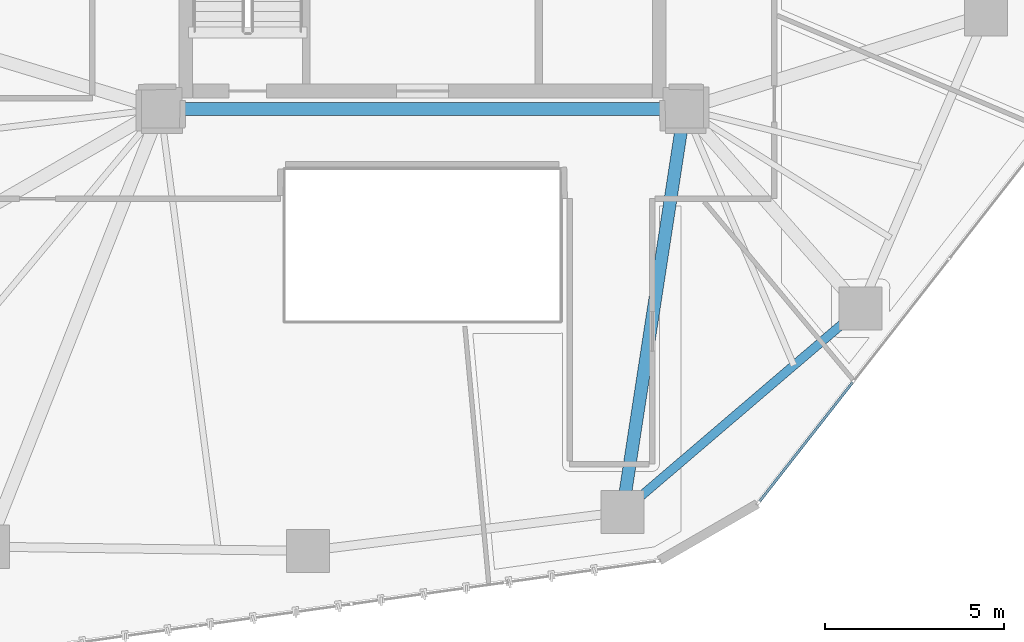
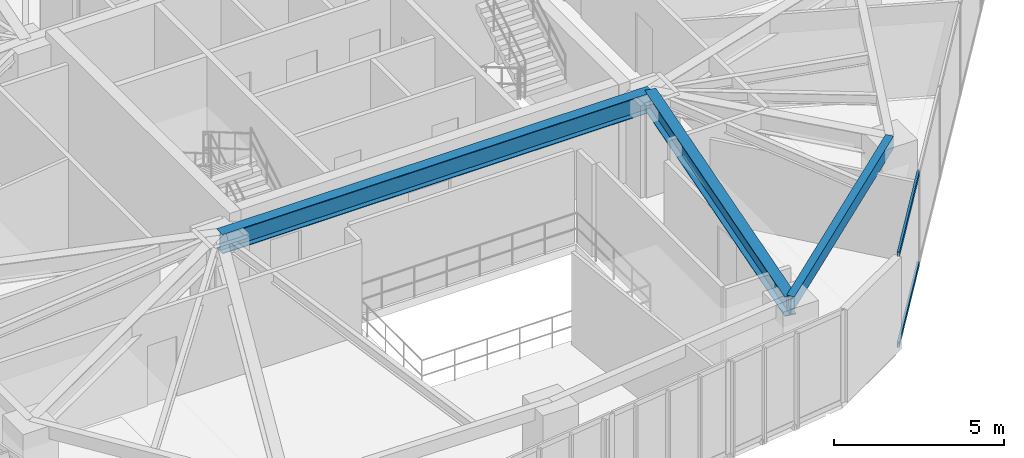
# One storey, part 7 of 24: 3 beams, 2 members, 1 element without a shape of its own.
"""IFC4 building model written with IfcOpenShell, lengths in metres."""

from ifc_helpers import new_model, si_unit, direction, frame, origin, origin_2d, place, context, subcontext, project, spatial, hollow_rectangle, i_section, extrude, source, transform, mapped, material, layer, layer_set, material_profile, profile_set, type_object, type_shapes, element, aggregate, save


model = new_model("IFC4")

# Units and contexts
model_context = context("Model", 3, precision=1e-05, world=origin(), true_north=direction((0.0, 1.0)))
body_context = subcontext(model_context, "Body", "Model", "MODEL_VIEW")
ifc_project = project(units=[si_unit("LENGTHUNIT", "METRE"), si_unit("AREAUNIT", "SQUARE_METRE"), si_unit("VOLUMEUNIT", "CUBIC_METRE"), si_unit("PLANEANGLEUNIT", "RADIAN"), si_unit("MASSUNIT", "GRAM", prefix="KILO")], contexts=[model_context])

# Site, building, storey
site_placement = place(None, origin())
site = spatial("IfcSite", under=ifc_project, at=site_placement, CompositionType="ELEMENT")
building_placement = place(site_placement, origin())
building = spatial("IfcBuilding", under=site, at=building_placement, Name="Talar Marvaseh", CompositionType="ELEMENT")
storey_placement = place(building_placement, frame((0.0, 0.0, 114.60009765625)))
storey = spatial("IfcBuildingStorey", under=building, at=storey_placement, Name="L29", CompositionType="ELEMENT", Elevation=114.60009765625)

# Beams
ifc_material_1 = material(Name="Steel S355", Category="steel")
ifc_material_profile_1 = material_profile(ifc_material_1, hollow_rectangle(XDim=0.25, YDim=0.449951171875, WallThickness=0.01611328125, at=origin_2d()), Name="RHS450x250x16")
ifc_profile_set_1 = profile_set([ifc_material_profile_1], Name="Steel S355")
beam_type_1 = type_object("IfcBeamType", Name="Zone 2 Perimeter Spandrel Beam RHS450x250x16", PredefinedType="SPANDREL", material=ifc_profile_set_1)
beam_1_placement = place(storey_placement, frame((38.2060546875, 19.94091796875, 3.0849609375), z_axis=(-0.76011265597, -0.649791312833, 0.0), x_axis=(0.649791312833, -0.76011265597, 0.0)))
element("IfcBeam", 1, at=beam_1_placement, inside=storey, type_object=beam_type_1, Name="L29 Zone 2 Perimeter Spandrel Beam RHS450x250x16", PredefinedType="SPANDREL", context=body_context, shape_type="SweptSolid", body=[
    extrude(hollow_rectangle(XDim=0.25, YDim=0.449951171875, WallThickness=0.01611328125, at=origin_2d()), origin(), (0.0, 0.0, 1.0), 8.730224609375),
])
ifc_material_profile_2 = material_profile(ifc_material_1, i_section(OverallWidth=0.35498046875, OverallDepth=0.695068359375, WebThickness=0.015380859375, FlangeThickness=0.02490234375, at=origin_2d()), Name="W690x217")
ifc_profile_set_2 = profile_set([ifc_material_profile_2], Name="Steel S355")
beam_type_2 = type_object("IfcBeamType", Name="Zone 2 Radial Floor Girder W690x217", PredefinedType="BEAM", material=ifc_profile_set_2)
beam_2_placement = place(storey_placement, frame((18.699951171875, 25.5, 2.96240234375), z_axis=(1.0, 0.0, 0.0), x_axis=(0.0, 1.0, 0.0)))
element("IfcBeam", 2, at=beam_2_placement, inside=storey, type_object=beam_type_2, Name="L29 Zone 2 Radial Floor Girder W690x217", PredefinedType="BEAM", context=body_context, shape_type="SweptSolid", body=[
    extrude(i_section(OverallWidth=0.35498046875, OverallDepth=0.695068359375, WebThickness=0.015380859375, FlangeThickness=0.02490234375, at=origin_2d()), origin(), (0.0, 0.0, 1.0), 14.60009765625),
])
beam_3_placement = place(storey_placement, frame((31.570068359375, 14.26806640625, 2.96240234375), z_axis=(0.152228300633, 0.98834535689, 0.0), x_axis=(-0.98834535689, 0.152228300633, 0.0)))
element("IfcBeam", 3, at=beam_3_placement, inside=storey, type_object=beam_type_2, Name="L29 Zone 2 Radial Floor Girder W690x217", PredefinedType="BEAM", context=body_context, shape_type="SweptSolid", body=[
    extrude(i_section(OverallWidth=0.35498046875, OverallDepth=0.695068359375, WebThickness=0.015380859375, FlangeThickness=0.02490234375, at=origin_2d()), origin(), (0.0, 0.0, 1.0), 11.364501953125),
])

# Curtain wall, members
ifc_material_2 = material(Name="Architectural Aluminium", Category="aluminium")
ifc_layer = layer(ifc_material_2, 0.199951171875)
ifc_layer_set = layer_set([ifc_layer], Name="Architectural Aluminium")
curtain_wall_type = type_object("IfcCurtainWallType", Name="Unitised Acoustic Library Curtain Wall Z2", PredefinedType="NOTDEFINED", material=ifc_layer_set)
curtain_wall_placement = place(storey_placement, origin())
curtain_wall = element("IfcCurtainWall", 4, at=curtain_wall_placement, inside=storey, type_object=curtain_wall_type, Name="L29 Unitised Acoustic Library Curtain Wall Z2", PredefinedType="NOTDEFINED")
ifc_material_profile_3 = material_profile(ifc_material_2, hollow_rectangle(XDim=0.074951171875, YDim=0.179931640625, WallThickness=0.0048828125, at=origin_2d()), Name="RHS180x75x5")
ifc_profile_set_3 = profile_set([ifc_material_profile_3], Name="Architectural Aluminium")
member_type = type_object("IfcMemberType", Name="Unitised Curtain Wall Transom RHS180x75x5", PredefinedType="USERDEFINED", material=ifc_profile_set_3)
shared_shape = source(origin(), body_context, "Body", "SweptSolid", [
    extrude(hollow_rectangle(XDim=0.074951171875, YDim=0.179931640625, WallThickness=0.0048828125, at=origin_2d()), origin(), (0.0, 0.0, 1.0), 4.2109375),
])
type_shapes(member_type, [shared_shape])
member_1_placement = place(storey_placement, frame((37.988037109375, 17.884521484375, 0.037353515625), z_axis=(-0.615781294606, -0.787917125854, 0.0), x_axis=(0.787917125854, -0.615781294606, 0.0)))
member_1 = element("IfcMember", 5, at=member_1_placement, type_object=member_type, Name="CW-Z2 transom 5.1", ObjectType="TRANSOM", PredefinedType="USERDEFINED", context=body_context, shape_type="MappedRepresentation", body=[
    mapped(shared_shape, transform((0.0, 0.0, 0.0), x_axis=(1.0, 0.0, 0.0), y_axis=(0.0, 1.0, 0.0), z_axis=(0.0, 0.0, 1.0), scale=1.0)),
])
member_2_placement = place(storey_placement, frame((37.988037109375, 17.884521484375, 3.2724609375), z_axis=(-0.615781294606, -0.787917125854, 0.0), x_axis=(0.787917125854, -0.615781294606, 0.0)))
member_2 = element("IfcMember", 6, at=member_2_placement, type_object=member_type, Name="CW-Z2 transom 5.2", ObjectType="TRANSOM", PredefinedType="USERDEFINED", context=body_context, shape_type="MappedRepresentation", body=[
    mapped(shared_shape, transform((0.0, 0.0, 0.0), x_axis=(1.0, 0.0, 0.0), y_axis=(0.0, 1.0, 0.0), z_axis=(0.0, 0.0, 1.0), scale=1.0)),
])
aggregate(curtain_wall, [member_1, member_2])

save(model, "model.ifc")
